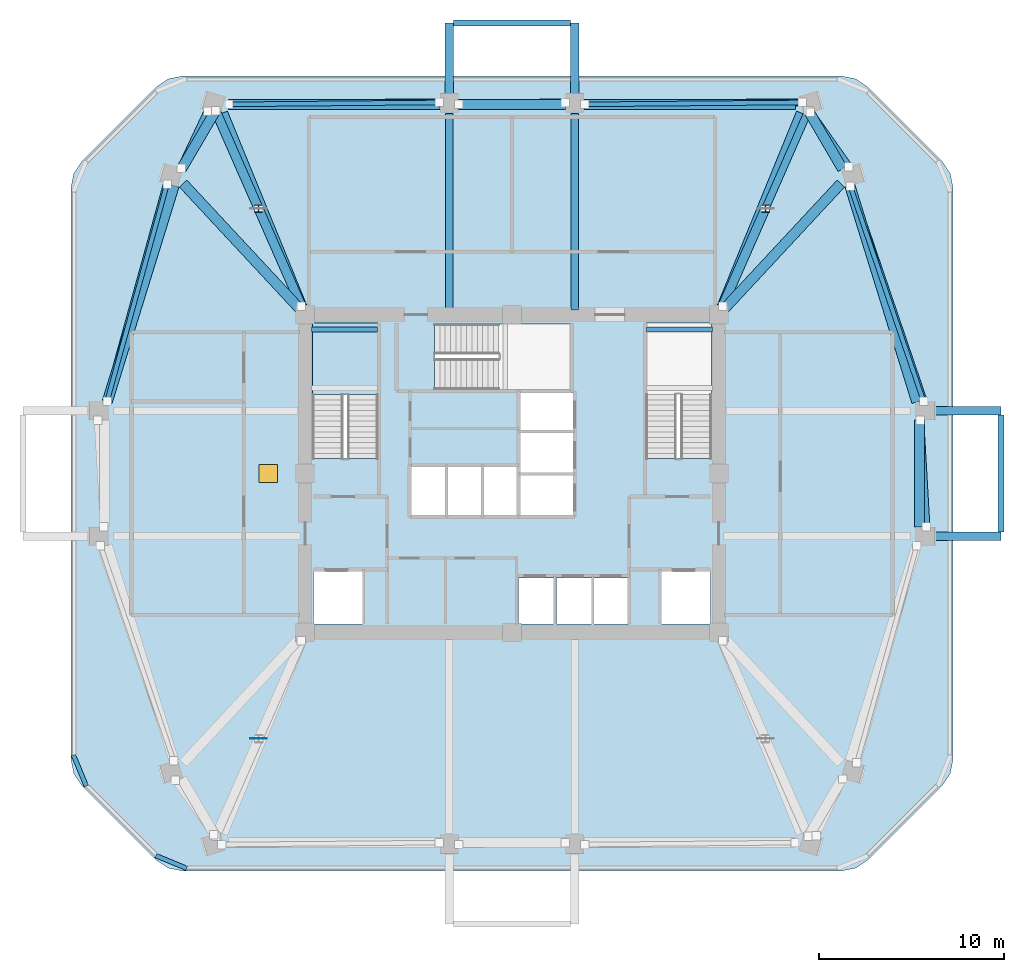
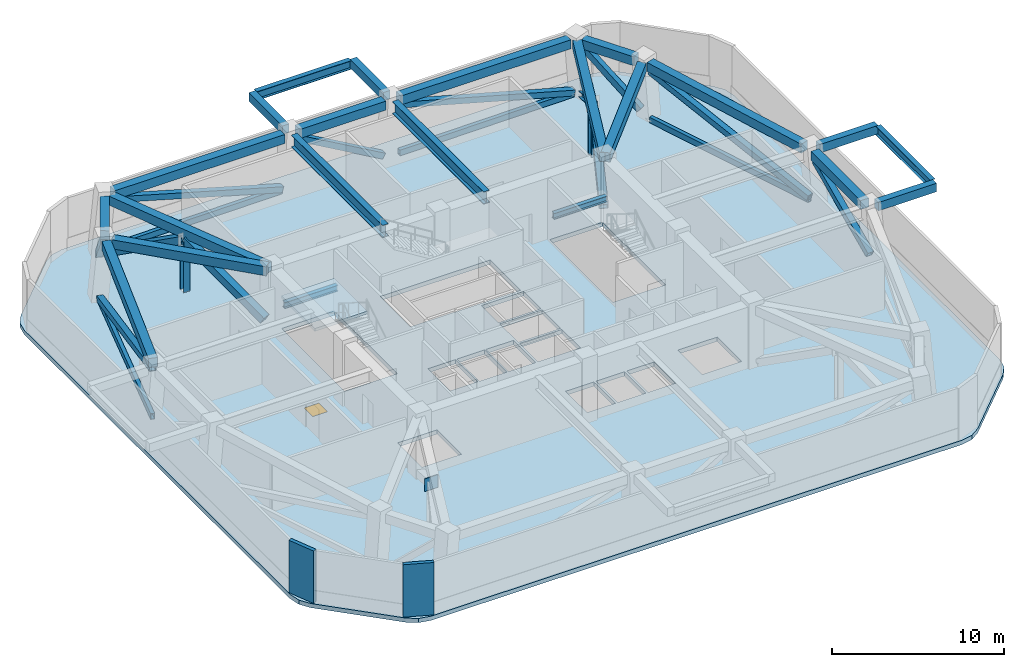
# One storey, part 2 of 8: 22 beams, 18 members, 3 plates, 2 slabs, 1 door, 1 opening, 1 element without a shape of its own.
"""IFC4 building model written with IfcOpenShell, lengths in metres."""

from ifc_helpers import new_model, si_unit, derived_unit, direction, frame, origin, origin_2d, place, context, subcontext, project, spatial, polyline, rectangle, hollow_rectangle, i_section, outline, extrude, material, layer, layer_set, material_profile, profile_set, type_object, element, fill, aggregate, save


model = new_model("IFC4")

# Units and contexts
model_context = context("Model", 3, precision=1e-05, world=origin(), true_north=direction((0.0, 1.0)))
body_context = subcontext(model_context, "Body", "Model", "MODEL_VIEW")
ifc_project = project(units=[si_unit("LENGTHUNIT", "METRE"), si_unit("AREAUNIT", "SQUARE_METRE"), si_unit("VOLUMEUNIT", "CUBIC_METRE"), si_unit("PLANEANGLEUNIT", "RADIAN"), si_unit("MASSUNIT", "GRAM", prefix="KILO"), derived_unit("THERMALTRANSMITTANCEUNIT", [(si_unit("POWERUNIT", "WATT"), 1), (si_unit("LENGTHUNIT", "METRE"), -2), (si_unit("THERMODYNAMICTEMPERATUREUNIT", "KELVIN"), -1)])], contexts=[model_context])

# Site, building, storey
site_placement = place(None, origin())
site = spatial("IfcSite", under=ifc_project, at=site_placement, CompositionType="ELEMENT")
building_placement = place(site_placement, origin())
building = spatial("IfcBuilding", under=site, at=building_placement, Name="Koralith Skygarden Medical Center", CompositionType="ELEMENT")
storey_placement = place(building_placement, frame((0.0, 0.0, 124.3798828125)))
storey = spatial("IfcBuildingStorey", under=building, at=storey_placement, Name="L32", CompositionType="ELEMENT", Elevation=124.3798828125)

# Members
ifc_material_1 = material(Name="Steel ASTM A500 Grade C", Category="steel")
ifc_material_profile_1 = material_profile(ifc_material_1, hollow_rectangle(XDim=0.25, YDim=0.39990234375, WallThickness=0.01611328125, at=origin_2d()), Name="HSS400X250X16")
ifc_profile_set_1 = profile_set([ifc_material_profile_1], Name="Steel ASTM A500 Grade C")
member_type_1 = type_object("IfcMemberType", Name="Belt Truss Chord Member HSS400X250X16", PredefinedType="CHORD", material=ifc_profile_set_1)
member_1_placement = place(storey_placement, frame((59.285888671875, 29.802001953125, 0.22021484375), z_axis=(-0.322478132983, 0.946576913804, 0.0), x_axis=(-0.946576913804, -0.322478132983, 0.0)))
element("IfcMember", 1, at=member_1_placement, inside=storey, type_object=member_type_1, Name="L32 Belt Truss Bottom Chord BTC-09", PredefinedType="CHORD", context=body_context, shape_type="SweptSolid", body=[
    extrude(hollow_rectangle(XDim=0.25, YDim=0.39990234375, WallThickness=0.01611328125, at=origin_2d()), origin(), (0.0, 0.0, 1.0), 12.31396484375),
])
member_2_placement = place(storey_placement, frame((52.715087890625, 45.989990234375, 0.22021484375), z_axis=(-0.999960327416, -0.008907502088, 0.0), x_axis=(0.008907502088, -0.999960327416, 0.0)))
element("IfcMember", 2, at=member_2_placement, inside=storey, type_object=member_type_1, Name="L32 Belt Truss Bottom Chord BTC-11", PredefinedType="CHORD", context=body_context, shape_type="SweptSolid", body=[
    extrude(hollow_rectangle(XDim=0.25, YDim=0.39990234375, WallThickness=0.01611328125, at=origin_2d()), origin(), (0.0, 0.0, 1.0), 11.78564453125),
])
member_3_placement = place(storey_placement, frame((33.070068359375, 45.989990234375, 0.22021484375), z_axis=(-0.999957542682, -0.009214815982, 0.0), x_axis=(0.009214815982, -0.999957542682, 0.0)))
element("IfcMember", 3, at=member_3_placement, inside=storey, type_object=member_type_1, Name="L32 Belt Truss Bottom Chord BTC-13", PredefinedType="CHORD", context=body_context, shape_type="SweptSolid", body=[
    extrude(hollow_rectangle(XDim=0.25, YDim=0.39990234375, WallThickness=0.01611328125, at=origin_2d()), origin(), (0.0, 0.0, 1.0), 11.392578125),
])
member_4_placement = place(storey_placement, frame((18.322021484375, 41.56396484375, 0.22021484375), z_axis=(-0.266152280605, -0.963930995211, 0.0), x_axis=(0.963930995211, -0.266152280605, 0.0)))
element("IfcMember", 4, at=member_4_placement, inside=storey, type_object=member_type_1, Name="L32 Belt Truss Bottom Chord BTC-15", PredefinedType="CHORD", context=body_context, shape_type="SweptSolid", body=[
    extrude(hollow_rectangle(XDim=0.25, YDim=0.39990234375, WallThickness=0.01611328125, at=origin_2d()), origin(), (0.0, 0.0, 1.0), 12.192626953125),
])
ifc_material_profile_2 = material_profile(ifc_material_1, hollow_rectangle(XDim=0.39990234375, YDim=0.39990234375, WallThickness=0.01806640625, at=origin_2d()), Name="HSS400X400X18")
ifc_profile_set_2 = profile_set([ifc_material_profile_2], Name="Steel ASTM A500 Grade C")
member_type_2 = type_object("IfcMemberType", Name="Belt Truss Diagonal HSS400X400X18", PredefinedType="BRACE", material=ifc_profile_set_2)
member_5_placement = place(storey_placement, frame((59.426025390625, 23.029052734375, 0.35009765625), z_axis=(-0.049812839312, 0.863973575066, 0.501067203703), x_axis=(-0.99834205325, -0.057559922795, 0.0)))
element("IfcMember", 5, at=member_5_placement, inside=storey, type_object=member_type_2, Name="L32 Perimeter Belt Truss Diagonal BTD-08", PredefinedType="BRACE", context=body_context, shape_type="SweptSolid", body=[
    extrude(hollow_rectangle(XDim=0.39990234375, YDim=0.39990234375, WallThickness=0.01806640625, at=origin_2d()), origin(), (0.0, 0.0, 1.0), 6.64599609375),
])
member_6_placement = place(storey_placement, frame((59.285888671875, 29.802001953125, 0.35009765625), z_axis=(-0.311295778598, 0.913753111443, 0.261055912701), x_axis=(-0.946576913804, -0.322478132983, 0.0)))
element("IfcMember", 6, at=member_6_placement, inside=storey, type_object=member_type_2, Name="L32 Perimeter Belt Truss Diagonal BTD-09", PredefinedType="BRACE", context=body_context, shape_type="SweptSolid", body=[
    extrude(hollow_rectangle(XDim=0.39990234375, YDim=0.39990234375, WallThickness=0.01806640625, at=origin_2d()), origin(), (0.0, 0.0, 1.0), 12.756103515625),
])
member_7_placement = place(storey_placement, frame((55.23095703125, 42.508056640625, 0.35009765625), z_axis=(-0.422935288814, 0.599610765133, 0.679406116997), x_axis=(-0.817172870906, -0.57639266048, 0.0)))
element("IfcMember", 7, at=member_7_placement, inside=storey, type_object=member_type_2, Name="L32 Perimeter Belt Truss Diagonal BTD-10", PredefinedType="BRACE", context=body_context, shape_type="SweptSolid", body=[
    extrude(hollow_rectangle(XDim=0.39990234375, YDim=0.39990234375, WallThickness=0.01806640625, at=origin_2d()), origin(), (0.0, 0.0, 1.0), 4.9013671875),
])
member_8_placement = place(storey_placement, frame((52.715087890625, 45.989990234375, 0.35009765625), z_axis=(-0.962284935412, -0.008571895141, 0.271908487716), x_axis=(0.008907502088, -0.999960327416, 0.0)))
element("IfcMember", 8, at=member_8_placement, inside=storey, type_object=member_type_2, Name="L32 Perimeter Belt Truss Diagonal BTD-11", PredefinedType="BRACE", context=body_context, shape_type="SweptSolid", body=[
    extrude(hollow_rectangle(XDim=0.39990234375, YDim=0.39990234375, WallThickness=0.01806640625, at=origin_2d()), origin(), (0.0, 0.0, 1.0), 12.2470703125),
])
member_9_placement = place(storey_placement, frame((39.8701171875, 45.986083984375, 0.35009765625), z_axis=(-0.864889940771, -0.014640447279, 0.501747992179), x_axis=(0.016925101674, -0.999856760208, 0.0)))
element("IfcMember", 9, at=member_9_placement, inside=storey, type_object=member_type_2, Name="L32 Perimeter Belt Truss Diagonal BTD-12", PredefinedType="BRACE", context=body_context, shape_type="SweptSolid", body=[
    extrude(hollow_rectangle(XDim=0.39990234375, YDim=0.39990234375, WallThickness=0.01806640625, at=origin_2d()), origin(), (0.0, 0.0, 1.0), 6.636962890625),
])
member_10_placement = place(storey_placement, frame((33.070068359375, 45.989990234375, 0.35009765625), z_axis=(-0.959795026715, -0.008844710074, 0.280562431194), x_axis=(0.009214815982, -0.999957542682, 0.0)))
element("IfcMember", 10, at=member_10_placement, inside=storey, type_object=member_type_2, Name="L32 Perimeter Belt Truss Diagonal BTD-13", PredefinedType="BRACE", context=body_context, shape_type="SweptSolid", body=[
    extrude(hollow_rectangle(XDim=0.39990234375, YDim=0.39990234375, WallThickness=0.01806640625, at=origin_2d()), origin(), (0.0, 0.0, 1.0), 11.869384765625),
])
member_11_placement = place(storey_placement, frame((20.529052734375, 45.514892578125, 0.35009765625), z_axis=(-0.304123542659, -0.646268942093, 0.699889509341), x_axis=(0.904820330288, -0.425793576627, 0.0)))
element("IfcMember", 11, at=member_11_placement, inside=storey, type_object=member_type_2, Name="L32 Perimeter Belt Truss Diagonal BTD-14", PredefinedType="BRACE", context=body_context, shape_type="SweptSolid", body=[
    extrude(hollow_rectangle(XDim=0.39990234375, YDim=0.39990234375, WallThickness=0.01806640625, at=origin_2d()), origin(), (0.0, 0.0, 1.0), 4.758056640625),
])
member_12_placement = place(storey_placement, frame((18.322021484375, 41.56396484375, 0.35009765625), z_axis=(-0.256748448481, -0.929872879165, 0.263470421101), x_axis=(0.963930995211, -0.266152280605, 0.0)))
element("IfcMember", 12, at=member_12_placement, inside=storey, type_object=member_type_2, Name="L32 Perimeter Belt Truss Diagonal BTD-15", PredefinedType="BRACE", context=body_context, shape_type="SweptSolid", body=[
    extrude(hollow_rectangle(XDim=0.39990234375, YDim=0.39990234375, WallThickness=0.01806640625, at=origin_2d()), origin(), (0.0, 0.0, 1.0), 12.639404296875),
])

# Beams
ifc_material_2 = material(Name="Steel ASTM A992 Grade 50", Category="steel")
ifc_material_profile_3 = material_profile(ifc_material_2, i_section(OverallWidth=0.326904296875, OverallDepth=0.6220703125, WebThickness=0.015380859375, FlangeThickness=0.0244140625, at=origin_2d()), Name="W24X131")
ifc_profile_set_3 = profile_set([ifc_material_profile_3], Name="Steel ASTM A992 Grade 50")
beam_type_1 = type_object("IfcBeamType", Name="Cantilever Tie Beam W24X131", PredefinedType="BEAM", material=ifc_profile_set_3)
beam_1_placement = place(storey_placement, frame((33.820068359375, 50.2900390625, 4.109130859375), z_axis=(1.0, 0.0, 0.0), x_axis=(0.0, 1.0, 0.0)))
element("IfcBeam", 13, at=beam_1_placement, inside=storey, type_object=beam_type_1, Name="L33 N Balcony Tip Tie Beam", PredefinedType="BEAM", context=body_context, shape_type="SweptSolid", body=[
    extrude(i_section(OverallWidth=0.326904296875, OverallDepth=0.6220703125, WebThickness=0.015380859375, FlangeThickness=0.0244140625, at=origin_2d()), origin(), (0.0, 0.0, 1.0), 6.35986328125),
])
beam_2_placement = place(storey_placement, frame((63.47412109375, 22.719970703125, 4.109130859375), z_axis=(0.0, 1.0, 0.0), x_axis=(-1.0, 0.0, 0.0)))
element("IfcBeam", 14, at=beam_2_placement, inside=storey, type_object=beam_type_1, Name="L33 E Balcony Tip Tie Beam", PredefinedType="BEAM", context=body_context, shape_type="SweptSolid", body=[
    extrude(i_section(OverallWidth=0.326904296875, OverallDepth=0.6220703125, WebThickness=0.015380859375, FlangeThickness=0.0244140625, at=origin_2d()), origin(), (0.0, 0.0, 1.0), 6.360107421875),
])
ifc_material_profile_4 = material_profile(ifc_material_2, i_section(OverallWidth=0.260009765625, OverallDepth=0.4150390625, WebThickness=0.010009765625, FlangeThickness=0.016845703125, at=origin_2d()), Name="W16X67")
ifc_profile_set_4 = profile_set([ifc_material_profile_4], Name="Steel ASTM A992 Grade 50")
beam_type_2 = type_object("IfcBeamType", Name="Clinical Floor Joist W16X67", PredefinedType="JOIST", material=ifc_profile_set_4)
for number, where, z_axis, x_axis, name in (
    (15, (26.155029296875, 33.699951171875, 1.93212890625), (1.0, 0.0, 0.0), (0.0, 1.0, 0.0), "L32 Stair ST1 Half-Landing Support Beam 1B"),
    (16, (44.280029296875, 33.699951171875, 1.93212890625), (1.0, 0.0, 0.0), (0.0, 1.0, 0.0), "L32 Stair ST2 Half-Landing Support Beam 1B"),
):
    element("IfcBeam", number, at=place(storey_placement, frame(where, z_axis=z_axis, x_axis=x_axis)), inside=storey, type_object=beam_type_2, Name=name, PredefinedType="JOIST", context=body_context, shape_type="SweptSolid", body=[
        extrude(i_section(OverallWidth=0.260009765625, OverallDepth=0.4150390625, WebThickness=0.010009765625, FlangeThickness=0.016845703125, at=origin_2d()), origin(), (0.0, 0.0, 1.0), 3.56494140625),
    ])
ifc_material_profile_5 = material_profile(ifc_material_2, i_section(OverallWidth=0.39990234375, OverallDepth=0.862060546875, WebThickness=0.019775390625, FlangeThickness=0.032470703125, at=origin_2d()), Name="W33X221")
ifc_profile_set_5 = profile_set([ifc_material_profile_5], Name="Steel ASTM A992 Grade 50")
beam_type_3 = type_object("IfcBeamType", Name="Outrigger Chord Girder W33X221", PredefinedType="BEAM", material=ifc_profile_set_5)
for number, where, z_axis, x_axis, name in (
    (17, (40.39990234375, 34.75, 3.94921875), (0.0, 1.0, 0.0), (-1.0, 0.0, 0.0), "L32 Radial Collector Beam RB-12"),
    (18, (33.60009765625, 34.75, 3.94921875), (0.0, 1.0, 0.0), (-1.0, 0.0, 0.0), "L32 Radial Collector Beam RB-13"),
):
    element("IfcBeam", number, at=place(storey_placement, frame(where, z_axis=z_axis, x_axis=x_axis)), inside=storey, type_object=beam_type_3, Name=name, PredefinedType="BEAM", context=body_context, shape_type="SweptSolid", body=[
        extrude(i_section(OverallWidth=0.39990234375, OverallDepth=0.862060546875, WebThickness=0.019775390625, FlangeThickness=0.032470703125, at=origin_2d()), origin(), (0.0, 0.0, 1.0), 10.6298828125),
    ])

# Members
ifc_material_profile_6 = material_profile(ifc_material_1, hollow_rectangle(XDim=0.5, YDim=0.5, WallThickness=0.02197265625, at=origin_2d()), Name="HSS500X500X22")
ifc_profile_set_6 = profile_set([ifc_material_profile_6], Name="Steel ASTM A500 Grade C")
member_type_3 = type_object("IfcMemberType", Name="Outrigger Primary Diagonal HSS500X500X22", PredefinedType="BRACE", material=ifc_profile_set_6)
member_13_placement = place(storey_placement, frame((25.594970703125, 34.967041015625, 0.35009765625), z_axis=(-0.348046859952, 0.792985214623, 0.500037831236), x_axis=(-0.91568354971, -0.401900033329, 0.0)))
element("IfcMember", 19, at=member_13_placement, inside=storey, type_object=member_type_3, Name="L32 Outrigger Truss Diagonal ORD-02A", PredefinedType="BRACE", context=body_context, shape_type="SweptSolid", body=[
    extrude(hollow_rectangle(XDim=0.5, YDim=0.5, WallThickness=0.02197265625, at=origin_2d()), origin(), (0.0, 0.0, 1.0), 6.65966796875),
])
member_14_placement = place(storey_placement, frame((23.277099609375, 40.248046875, 3.68017578125), z_axis=(-0.347990664751, 0.792961132291, -0.500115126668), x_axis=(-0.915702938378, -0.401855855558, 0.0)))
element("IfcMember", 20, at=member_14_placement, inside=storey, type_object=member_type_3, Name="L32 Outrigger Truss Diagonal ORD-02B", PredefinedType="BRACE", context=body_context, shape_type="SweptSolid", body=[
    extrude(hollow_rectangle(XDim=0.5, YDim=0.5, WallThickness=0.02197265625, at=origin_2d()), origin(), (0.0, 0.0, 1.0), 6.65869140625),
])
member_15_placement = place(storey_placement, frame((48.405029296875, 34.967041015625, 0.35009765625), z_axis=(0.347917974738, 0.79302568088, 0.500063348306), x_axis=(-0.915745857893, 0.401758041302, 0.0)))
element("IfcMember", 21, at=member_15_placement, inside=storey, type_object=member_type_3, Name="L32 Outrigger Truss Diagonal ORD-04A", PredefinedType="BRACE", context=body_context, shape_type="SweptSolid", body=[
    extrude(hollow_rectangle(XDim=0.5, YDim=0.5, WallThickness=0.02197265625, at=origin_2d()), origin(), (0.0, 0.0, 1.0), 6.659423828125),
])
ifc_material_profile_7 = material_profile(ifc_material_2, i_section(OverallWidth=0.39794921875, OverallDepth=0.386962890625, WebThickness=0.017578125, FlangeThickness=0.028076171875, at=origin_2d()), Name="W14X176")
ifc_profile_set_7 = profile_set([ifc_material_profile_7], Name="Steel ASTM A992 Grade 50")
member_type_4 = type_object("IfcMemberType", Name="Outrigger Secondary Strut W14X176", PredefinedType="BRACE", material=ifc_profile_set_7)
member_16_placement = place(storey_placement, frame((50.721923828125, 40.248046875, 3.68017578125), z_axis=(0.348119555889, 0.792920656685, -0.500089598982), x_axis=(-0.915640609345, 0.401997853874, 0.0)))
element("IfcMember", 22, at=member_16_placement, inside=storey, type_object=member_type_4, Name="L32 Outrigger Secondary Strut ORS-04B", PredefinedType="BRACE", context=body_context, shape_type="SweptSolid", body=[
    extrude(i_section(OverallWidth=0.39794921875, OverallDepth=0.386962890625, WebThickness=0.017578125, FlangeThickness=0.028076171875, at=origin_2d()), origin(), (0.0, 0.0, 1.0), 6.658935546875),
])
ifc_material_profile_8 = material_profile(ifc_material_2, i_section(OverallWidth=0.406005859375, OverallDepth=0.416015625, WebThickness=0.02490234375, FlangeThickness=0.0400390625, at=origin_2d()), Name="W14X257")
ifc_profile_set_8 = profile_set([ifc_material_profile_8], Name="Steel ASTM A992 Grade 50")
member_type_5 = type_object("IfcMemberType", Name="Outrigger Web Strut Post W14X257", PredefinedType="POST", material=ifc_profile_set_8)
for number, where, z_axis, x_axis, name in (
    (23, (23.277099609375, 40.248046875, 0.0), (0.0, 0.0, 1.0), (1.0, 0.0, 0.0), "L32 Outrigger Truss Web Post ORP-02"),
    (24, (50.721923828125, 40.248046875, 0.0), (0.0, 0.0, 1.0), (1.0, 0.0, 0.0), "L32 Outrigger Truss Web Post ORP-04"),
):
    element("IfcMember", number, at=place(storey_placement, frame(where, z_axis=z_axis, x_axis=x_axis)), inside=storey, type_object=member_type_5, Name=name, PredefinedType="POST", context=body_context, shape_type="SweptSolid", body=[
        extrude(i_section(OverallWidth=0.406005859375, OverallDepth=0.416015625, WebThickness=0.02490234375, FlangeThickness=0.0400390625, at=origin_2d()), origin(), (0.0, 0.0, 1.0), 3.68017578125),
    ])

# Beams
ifc_material_3 = material(Name="Concrete C45/55", Category="concrete")
ifc_material_profile_9 = material_profile(ifc_material_3, rectangle(XDim=0.449951171875, YDim=0.60009765625, at=origin_2d()), Name="RCB450X600")
ifc_profile_set_9 = profile_set([ifc_material_profile_9], Name="Concrete C45/55")
beam_type_4 = type_object("IfcBeamType", Name="Planted Balcony Cantilever Beam RCB450X600", PredefinedType="BEAM", material=ifc_profile_set_9)
for number, where, z_axis, x_axis, name in (
    (25, (33.60009765625, 46.3701171875, 4.1201171875), (0.0, 1.0, 0.0), (-1.0, 0.0, 0.0), "L33 N Balcony Cantilever Beam A"),
    (26, (40.39990234375, 46.3701171875, 4.1201171875), (0.0, 1.0, 0.0), (-1.0, 0.0, 0.0), "L33 N Balcony Cantilever Beam B"),
):
    element("IfcBeam", number, at=place(storey_placement, frame(where, z_axis=z_axis, x_axis=x_axis)), inside=storey, type_object=beam_type_4, Name=name, PredefinedType="BEAM", context=body_context, shape_type="SweptSolid", body=[
        extrude(rectangle(XDim=0.449951171875, YDim=0.60009765625, at=origin_2d()), origin(), (0.0, 0.0, 1.0), 3.919921875),
    ])
for number, where, z_axis, x_axis, name in (
    (27, (59.553955078125, 22.5, 4.1201171875), (1.0, 0.0, 0.0), (0.0, 1.0, 0.0), "L33 E Balcony Cantilever Beam A"),
    (28, (59.553955078125, 29.300048828125, 4.1201171875), (1.0, 0.0, 0.0), (0.0, 1.0, 0.0), "L33 E Balcony Cantilever Beam B"),
):
    element("IfcBeam", number, at=place(storey_placement, frame(where, z_axis=z_axis, x_axis=x_axis)), inside=storey, type_object=beam_type_4, Name=name, PredefinedType="BEAM", context=body_context, shape_type="SweptSolid", body=[
        extrude(rectangle(XDim=0.449951171875, YDim=0.60009765625, at=origin_2d()), origin(), (0.0, 0.0, 1.0), 3.920166015625),
    ])
ifc_material_profile_10 = material_profile(ifc_material_3, rectangle(XDim=0.550048828125, YDim=0.639892578125, at=origin_2d()), Name="RCB550X640")
ifc_profile_set_10 = profile_set([ifc_material_profile_10], Name="Concrete C45/55")
beam_type_5 = type_object("IfcBeamType", Name="Radial Collector Beam RCB550X640", PredefinedType="BEAM", material=ifc_profile_set_10)
beam_3_placement = place(storey_placement, frame((48.3701171875, 34.68310546875, 4.06005859375), z_axis=(0.681338280985, 0.731968678882, 0.0), x_axis=(-0.731968678882, 0.681338280985, 0.0)))
element("IfcBeam", 29, at=beam_3_placement, inside=storey, type_object=beam_type_5, Name="L32 Radial Collector Beam RB-10", PredefinedType="BEAM", context=body_context, shape_type="SweptSolid", body=[
    extrude(rectangle(XDim=0.550048828125, YDim=0.639892578125, at=origin_2d()), origin(), (0.0, 0.0, 1.0), 9.44140625),
])
for number, where, z_axis, x_axis, name in (
    (30, (48.294921875, 34.73095703125, 4.06005859375), (0.378380851776, 0.925650004596, 0.0), (-0.925650004596, 0.378380851776, 0.0), "L32 Radial Collector Beam RB-11"),
    (31, (25.705078125, 34.73095703125, 4.06005859375), (-0.378380851776, 0.925650004596, 0.0), (-0.925650004596, -0.378380851776, 0.0), "L32 Radial Collector Beam RB-14"),
):
    element("IfcBeam", number, at=place(storey_placement, frame(where, z_axis=z_axis, x_axis=x_axis)), inside=storey, type_object=beam_type_5, Name=name, PredefinedType="BEAM", context=body_context, shape_type="SweptSolid", body=[
        extrude(rectangle(XDim=0.550048828125, YDim=0.639892578125, at=origin_2d()), origin(), (0.0, 0.0, 1.0), 11.54443359375),
    ])
beam_4_placement = place(storey_placement, frame((25.6298828125, 34.68310546875, 4.06005859375), z_axis=(-0.681338280985, 0.731968678882, 0.0), x_axis=(-0.731968678882, -0.681338280985, 0.0)))
element("IfcBeam", 32, at=beam_4_placement, inside=storey, type_object=beam_type_5, Name="L32 Radial Collector Beam RB-15", PredefinedType="BEAM", context=body_context, shape_type="SweptSolid", body=[
    extrude(rectangle(XDim=0.550048828125, YDim=0.639892578125, at=origin_2d()), origin(), (0.0, 0.0, 1.0), 9.44140625),
])
ifc_material_profile_11 = material_profile(ifc_material_3, rectangle(XDim=0.550048828125, YDim=0.639892578125, at=origin_2d()), Name="RCB550X640")
ifc_profile_set_11 = profile_set([ifc_material_profile_11], Name="Concrete C45/55")
beam_type_6 = type_object("IfcBeamType", Name="Zone 2-3 Spandrel Beam RCB550X640", PredefinedType="SPANDREL", material=ifc_profile_set_11)
beam_5_placement = place(storey_placement, frame((59.06396484375, 23.0, 4.06005859375), z_axis=(0.0, 1.0, 0.0), x_axis=(-1.0, 0.0, 0.0)))
element("IfcBeam", 33, at=beam_5_placement, inside=storey, type_object=beam_type_6, Name="L32 Perimeter Spandrel Beam SP-08", PredefinedType="SPANDREL", context=body_context, shape_type="SweptSolid", body=[
    extrude(rectangle(XDim=0.550048828125, YDim=0.639892578125, at=origin_2d()), origin(), (0.0, 0.0, 1.0), 5.800048828125),
])
beam_6_placement = place(storey_placement, frame((58.916015625, 29.778076171875, 4.06005859375), z_axis=(-0.295788069516, 0.955253588285, 0.0), x_axis=(-0.955253588285, -0.295788069516, 0.0)))
element("IfcBeam", 34, at=beam_6_placement, inside=storey, type_object=beam_type_6, Name="L32 Perimeter Spandrel Beam SP-09", PredefinedType="SPANDREL", context=body_context, shape_type="SweptSolid", body=[
    extrude(rectangle(XDim=0.550048828125, YDim=0.639892578125, at=origin_2d()), origin(), (0.0, 0.0, 1.0), 12.252197265625),
])
beam_7_placement = place(storey_placement, frame((54.89208984375, 42.39208984375, 4.06005859375), z_axis=(-0.50502386975, 0.863105376523, 0.0), x_axis=(-0.863105376523, -0.50502386975, 0.0)))
element("IfcBeam", 35, at=beam_7_placement, inside=storey, type_object=beam_type_6, Name="L32 Perimeter Spandrel Beam SP-10", PredefinedType="SPANDREL", context=body_context, shape_type="SweptSolid", body=[
    extrude(rectangle(XDim=0.550048828125, YDim=0.639892578125, at=origin_2d()), origin(), (0.0, 0.0, 1.0), 3.54052734375),
])
beam_8_placement = place(storey_placement, frame((52.35205078125, 45.8798828125, 4.06005859375), z_axis=(-1.0, 0.0, 0.0), x_axis=(0.0, -1.0, 0.0)))
element("IfcBeam", 36, at=beam_8_placement, inside=storey, type_object=beam_type_6, Name="L32 Perimeter Spandrel Beam SP-11", PredefinedType="SPANDREL", context=body_context, shape_type="SweptSolid", body=[
    extrude(rectangle(XDim=0.550048828125, YDim=0.639892578125, at=origin_2d()), origin(), (0.0, 0.0, 1.0), 11.4521484375),
])
beam_9_placement = place(storey_placement, frame((39.89990234375, 45.8798828125, 4.06005859375), z_axis=(-1.0, 0.0, 0.0), x_axis=(0.0, -1.0, 0.0)))
element("IfcBeam", 37, at=beam_9_placement, inside=storey, type_object=beam_type_6, Name="L32 Perimeter Spandrel Beam SP-12", PredefinedType="SPANDREL", context=body_context, shape_type="SweptSolid", body=[
    extrude(rectangle(XDim=0.550048828125, YDim=0.639892578125, at=origin_2d()), origin(), (0.0, 0.0, 1.0), 5.7998046875),
])
beam_10_placement = place(storey_placement, frame((33.10009765625, 45.8798828125, 4.06005859375), z_axis=(-1.0, 0.0, 0.0), x_axis=(0.0, -1.0, 0.0)))
element("IfcBeam", 38, at=beam_10_placement, inside=storey, type_object=beam_type_6, Name="L32 Perimeter Spandrel Beam SP-13", PredefinedType="SPANDREL", context=body_context, shape_type="SweptSolid", body=[
    extrude(rectangle(XDim=0.550048828125, YDim=0.639892578125, at=origin_2d()), origin(), (0.0, 0.0, 1.0), 11.4521484375),
])
beam_11_placement = place(storey_placement, frame((20.89599609375, 45.447998046875, 4.06005859375), z_axis=(-0.50502386975, -0.863105376523, 0.0), x_axis=(0.863105376523, -0.50502386975, 0.0)))
element("IfcBeam", 39, at=beam_11_placement, inside=storey, type_object=beam_type_6, Name="L32 Perimeter Spandrel Beam SP-14", PredefinedType="SPANDREL", context=body_context, shape_type="SweptSolid", body=[
    extrude(rectangle(XDim=0.550048828125, YDim=0.639892578125, at=origin_2d()), origin(), (0.0, 0.0, 1.0), 3.54052734375),
])
beam_12_placement = place(storey_placement, frame((18.7080078125, 41.48193359375, 4.06005859375), z_axis=(-0.295788069516, -0.955253588285, 0.0), x_axis=(0.955253588285, -0.295788069516, 0.0)))
element("IfcBeam", 40, at=beam_12_placement, inside=storey, type_object=beam_type_6, Name="L32 Perimeter Spandrel Beam SP-15", PredefinedType="SPANDREL", context=body_context, shape_type="SweptSolid", body=[
    extrude(rectangle(XDim=0.550048828125, YDim=0.639892578125, at=origin_2d()), origin(), (0.0, 0.0, 1.0), 12.252197265625),
])

# Stair, slab
stair_type = type_object("IfcStairType", Name="Core Exit Dogleg Concrete Stair", PredefinedType="HALF_TURN_STAIR", material=ifc_material_3)
stair_placement = place(storey_placement, origin())
stair = element("IfcStair", 41, at=stair_placement, inside=storey, type_object=stair_type, Name="L32 Smokeproof Exit Stair ST1", PredefinedType="HALF_TURN_STAIR")
ifc_layer_1 = layer(ifc_material_3, 0.199951171875)
ifc_layer_set_1 = layer_set([ifc_layer_1], Name="Concrete C45/55")
slab_type_1 = type_object("IfcSlabType", Name="Core Exit Concrete Stair Landing 200", PredefinedType="LANDING", material=ifc_layer_set_1)
slab_1_placement = place(storey_placement, frame((0.0, 0.0, 2.14013671875)))
slab_1 = element("IfcSlab", 42, at=slab_1_placement, type_object=slab_type_1, Name="ST1 landing 1", PredefinedType="LANDING", context=body_context, shape_type="SweptSolid", body=[
    extrude(outline(polyline([(29.75, 30.179931640625), (29.75, 34.050048828125), (26.199951171875, 34.050048828125), (26.199951171875, 30.179931640625), (29.75, 30.179931640625)])), origin(), (0.0, 0.0, 1.0), 0.199951171875),
])
aggregate(stair, [slab_1])

# Plate
ifc_material_4 = material(Name="Steel ASTM A572 Grade 50", Category="steel")
ifc_layer_2 = layer(ifc_material_4, 0.0400390625)
ifc_layer_set_2 = layer_set([ifc_layer_2], Name="Steel ASTM A572 Grade 50")
plate_type_1 = type_object("IfcPlateType", Name="Outrigger Truss Gusset Plate 40", PredefinedType="USERDEFINED", material=ifc_layer_set_2)
plate_placement = place(storey_placement, frame((23.277099609375, 11.552001953125, 3.230224609375), z_axis=(0.0, 0.0, 1.0), x_axis=(1.0, 0.0, 0.0)))
element("IfcPlate", 43, at=plate_placement, inside=storey, type_object=plate_type_1, Name="L32 Outrigger Node Gusset Plate ORG-01", ObjectType="GUSSET_PLATE", PredefinedType="USERDEFINED", context=body_context, shape_type="SweptSolid", body=[
    extrude(rectangle(XDim=0.89990234375, YDim=0.0400390625, at=origin_2d()), origin(), (0.0, 0.0, 1.0), 0.89990234375),
])

# Slab, opening, door
ifc_layer_3 = layer(ifc_material_3, 0.300048828125)
ifc_layer_set_3 = layer_set([ifc_layer_3], Name="Concrete C45/55")
slab_type_2 = type_object("IfcSlabType", Name="Podium & Diagnostic Stiffened Slab 300", PredefinedType="FLOOR", material=ifc_layer_set_3)
slab_2_placement = place(storey_placement, frame((0.0, 0.0, -0.2998046875)))
slab_2 = element("IfcSlab", 44, at=slab_2_placement, inside=storey, type_object=slab_type_2, Name="Level L32 Structural Floor Slab", PredefinedType="FLOOR", context=body_context, shape_type="SweptSolid", body=[
    extrude(outline(polyline([(17.737060546875, 4.970947265625), (18.385986328125, 4.537109375), (19.15087890625, 4.385009765625), (54.84912109375, 4.385009765625), (55.614013671875, 4.537109375), (56.262939453125, 4.970947265625), (60.291015625, 8.9990234375), (60.72509765625, 9.64794921875), (60.876953125, 10.4130859375), (60.876953125, 41.386962890625), (60.72509765625, 42.152099609375), (60.291015625, 42.801025390625), (56.262939453125, 46.8291015625), (55.614013671875, 47.262939453125), (54.84912109375, 47.4150390625), (19.15087890625, 47.4150390625), (18.385986328125, 47.262939453125), (17.737060546875, 46.8291015625), (13.708984375, 42.801025390625), (13.27490234375, 42.152099609375), (13.123046875, 41.386962890625), (13.123046875, 10.4130859375), (13.27490234375, 9.64794921875), (13.708984375, 8.9990234375), (17.737060546875, 4.970947265625)]), holes=[polyline([(26.199951171875, 26.705078125), (29.75, 26.705078125), (29.75, 34.050048828125), (26.199951171875, 34.050048828125), (26.199951171875, 26.705078125)]), polyline([(44.25, 26.705078125), (47.800048828125, 26.705078125), (47.800048828125, 34.050048828125), (44.25, 34.050048828125), (44.25, 26.705078125)]), polyline([(32.804931640625, 30.449951171875), (40.199951171875, 30.449951171875), (40.199951171875, 34.0), (32.804931640625, 34.0), (32.804931640625, 30.449951171875)]), polyline([(26.25, 17.75), (28.89990234375, 17.75), (28.89990234375, 20.60009765625), (26.25, 20.60009765625), (26.25, 17.75)]), polyline([(45.10009765625, 17.75), (47.75, 17.75), (47.75, 20.60009765625), (45.10009765625, 20.60009765625), (45.10009765625, 17.75)]), polyline([(37.35009765625, 17.75), (39.25, 17.75), (39.25, 20.25), (37.35009765625, 20.25), (37.35009765625, 17.75)]), polyline([(39.39990234375, 17.75), (41.300048828125, 17.75), (41.300048828125, 20.25), (39.39990234375, 20.25), (39.39990234375, 17.75)]), polyline([(41.449951171875, 17.75), (43.300048828125, 17.75), (43.300048828125, 20.25), (41.449951171875, 20.25), (41.449951171875, 17.75)]), polyline([(31.550048828125, 23.64990234375), (33.39990234375, 23.64990234375), (33.39990234375, 26.25), (31.550048828125, 26.25), (31.550048828125, 23.64990234375)]), polyline([(33.5, 23.64990234375), (35.35009765625, 23.64990234375), (35.35009765625, 26.25), (33.5, 26.25), (33.5, 23.64990234375)]), polyline([(35.449951171875, 23.64990234375), (37.300048828125, 23.64990234375), (37.300048828125, 26.25), (35.449951171875, 26.25), (35.449951171875, 23.64990234375)]), polyline([(37.449951171875, 23.64990234375), (40.300048828125, 23.64990234375), (40.300048828125, 25.800048828125), (37.449951171875, 25.800048828125), (37.449951171875, 23.64990234375)]), polyline([(37.449951171875, 25.949951171875), (40.300048828125, 25.949951171875), (40.300048828125, 28.10009765625), (37.449951171875, 28.10009765625), (37.449951171875, 25.949951171875)]), polyline([(37.449951171875, 28.25), (40.300048828125, 28.25), (40.300048828125, 30.25), (37.449951171875, 30.25), (37.449951171875, 28.25)])]), origin(), (0.0, 0.0, 1.0), 0.2998046875),
])
opening_placement = place(slab_2_placement, frame((23.800048828125, 25.89990234375, -0.010009765625)))
opening = element("IfcOpeningElement", 45, at=opening_placement, cuts=slab_2, Name="Opening D-HAT", PredefinedType="OPENING", context=body_context, shape_type="SweptSolid", body=[
    extrude(rectangle(XDim=1.0, YDim=1.0, at=origin_2d()), origin(), (0.0, 0.0, 1.0), 0.31982421875),
])
door_type = type_object("IfcDoorType", Name="Roof & Shaft Maintenance Access Hatch H-RF 1000", OperationType="NOTDEFINED", PredefinedType="TRAPDOOR", material=ifc_material_1)
door_placement = place(opening_placement, frame((0.0, 0.0, 0.289794921875)))
door = element("IfcDoor", 46, at=door_placement, inside=storey, type_object=door_type, Name="L32 Service Access Hatch H-03", OperationType="SINGLE_SWING_LEFT", OverallHeight=1.0, OverallWidth=1.0, PredefinedType="TRAPDOOR", context=body_context, shape_type="SweptSolid", body=[
    extrude(rectangle(XDim=1.0, YDim=1.0, at=origin_2d()), origin(), (0.0, 0.0, 1.0), 0.02001953125),
])
fill(opening, door)

# Plates
ifc_material_5 = material(Name="Warm Oolitic Limestone Cladding", Category="masonry")
ifc_layer_4 = layer(ifc_material_5, 0.239990234375)
ifc_layer_set_4 = layer_set([ifc_layer_4], Name="Warm Oolitic Limestone Cladding")
plate_type_2 = type_object("IfcPlateType", Name="Rounded-Corner Oolitic Limestone Cladding Panel 240", PredefinedType="USERDEFINED", material=ifc_layer_set_4)
for number, where, z_axis, x_axis, name in (
    (47, (13.60400390625, 9.81396484375, 0.000244140625), (0.0, 0.0, 1.0), (0.382670532536, -0.92388487569, 0.0), "L32 Rounded-Corner Limestone Pier 7"),
    (48, (18.552978515625, 4.865966796875, 0.000244140625), (0.0, 0.0, 1.0), (0.92388487569, -0.382670532536, 0.0), "L32 Rounded-Corner Limestone Pier 8"),
):
    element("IfcPlate", number, at=place(storey_placement, frame(where, z_axis=z_axis, x_axis=x_axis)), inside=storey, type_object=plate_type_2, Name=name, ObjectType="LIMESTONE CLADDING", PredefinedType="USERDEFINED", context=body_context, shape_type="SweptSolid", body=[
        extrude(rectangle(XDim=1.81103515625, YDim=0.239990234375, at=origin_2d()), origin(), (0.0, 0.0, 1.0), 3.72998046875),
    ])

save(model, "model.ifc")
